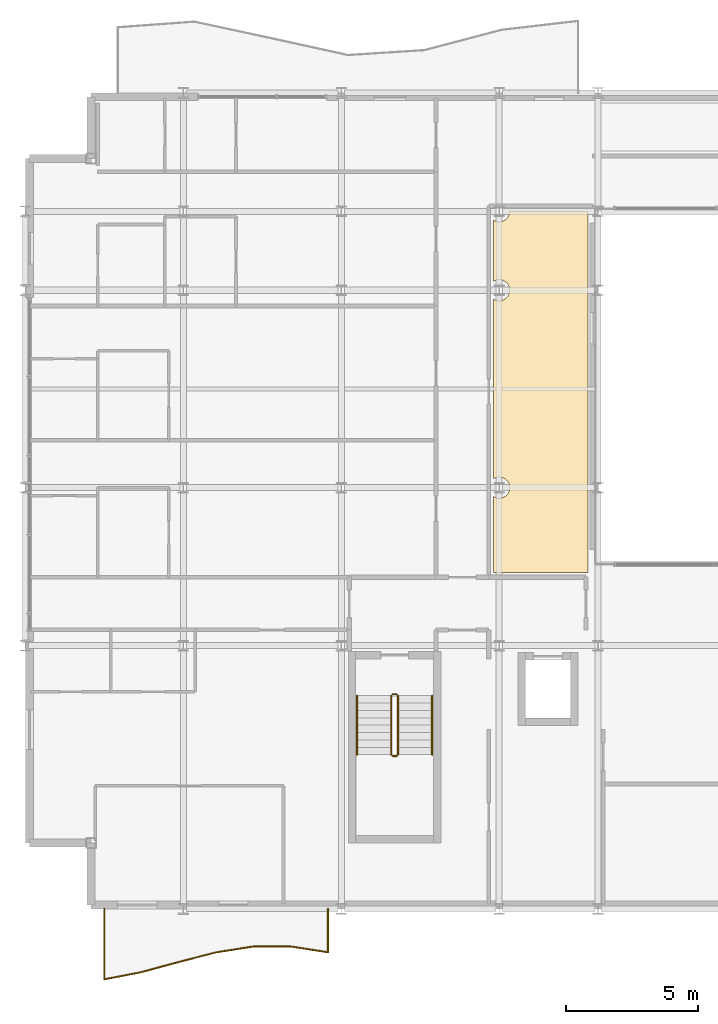
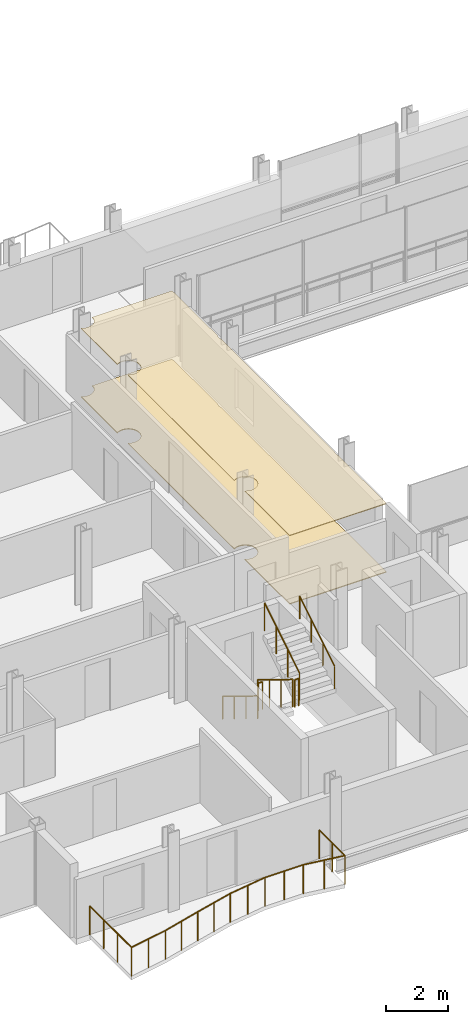
# One storey, part 39 of 41: 7 railings, 2 coverings.
"""IFC4 building model written with IfcOpenShell, lengths in metres."""

from ifc_helpers import new_model, si_unit, direction, frame, origin, origin_2d, place, context, subcontext, project, spatial, polyline, circle, outline, extrude, material, layer, layer_set, type_object, element, save


model = new_model("IFC4")

# Units and contexts
model_context = context("Model", 3, precision=1e-05, world=origin(), true_north=direction((0.0, 1.0)))
body_context = subcontext(model_context, "Body", "Model", "MODEL_VIEW")
ifc_project = project(units=[si_unit("LENGTHUNIT", "METRE"), si_unit("AREAUNIT", "SQUARE_METRE"), si_unit("VOLUMEUNIT", "CUBIC_METRE"), si_unit("PLANEANGLEUNIT", "RADIAN"), si_unit("MASSUNIT", "GRAM", prefix="KILO")], contexts=[model_context])

# Site, building, storey
site_placement = place(None, origin())
site = spatial("IfcSite", under=ifc_project, at=site_placement, CompositionType="ELEMENT")
building_placement = place(site_placement, origin())
building = spatial("IfcBuilding", under=site, at=building_placement, Name="Brevholm Reach", CompositionType="ELEMENT")
storey_placement = place(building_placement, frame((0.0, 0.0, 151.10009765625)))
storey = spatial("IfcBuildingStorey", under=building, at=storey_placement, Name="L45", CompositionType="ELEMENT", Elevation=151.10009765625)

# Coverings
ifc_material_1 = material(Name="Moisture-Resistant Skimmed Gypsum Plasterboard Ceiling", Category="gypsum")
ifc_layer_1 = layer(ifc_material_1, 0.030029296875)
ifc_layer_set_1 = layer_set([ifc_layer_1], Name="Moisture-Resistant Skimmed Gypsum Plasterboard Ceiling")
covering_type_1 = type_object("IfcCoveringType", Name="COV-CLG-GYP", PredefinedType="CEILING", material=ifc_layer_set_1)
covering_1_placement = place(storey_placement, frame((0.0, 0.0, 2.679931640625)))
element("IfcCovering", 1, at=covering_1_placement, inside=storey, type_object=covering_type_1, Name="L45 Suspended Ceiling L45-53", PredefinedType="CEILING", context=body_context, shape_type="SweptSolid", body=[
    extrude(outline(polyline([(21.3701171875, 23.623779296875), (21.3671875, 23.6162109375), (21.357666015625, 23.577880859375), (21.351806640625, 23.539306640625), (21.35009765625, 23.5), (21.351806640625, 23.460693359375), (21.357666015625, 23.422119140625), (21.3671875, 23.3837890625), (21.3701171875, 23.376220703125), (21.3701171875, 16.123779296875), (21.3671875, 16.1162109375), (21.357666015625, 16.077880859375), (21.351806640625, 16.039306640625), (21.35009765625, 16.0), (21.351806640625, 15.960693359375), (21.357666015625, 15.922119140625), (21.3671875, 15.8837890625), (21.3701171875, 15.876220703125), (21.3701171875, 12.783935546875), (17.783935546875, 12.783935546875), (17.783935546875, 15.663818359375), (17.811279296875, 15.647216796875), (17.846923828125, 15.63037109375), (17.8837890625, 15.6171875), (17.922119140625, 15.607666015625), (17.960693359375, 15.601806640625), (18.0, 15.60009765625), (18.039306640625, 15.601806640625), (18.077880859375, 15.607666015625), (18.1162109375, 15.6171875), (18.153076171875, 15.63037109375), (18.188720703125, 15.647216796875), (18.22216796875, 15.66748046875), (18.25390625, 15.69091796875), (18.28271484375, 15.71728515625), (18.30908203125, 15.74609375), (18.33251953125, 15.77783203125), (18.352783203125, 15.811279296875), (18.36962890625, 15.846923828125), (18.3828125, 15.8837890625), (18.392333984375, 15.922119140625), (18.398193359375, 15.960693359375), (18.39990234375, 16.0), (18.398193359375, 16.039306640625), (18.392333984375, 16.077880859375), (18.3828125, 16.1162109375), (18.36962890625, 16.153076171875), (18.352783203125, 16.188720703125), (18.33251953125, 16.22216796875), (18.30908203125, 16.25390625), (18.28271484375, 16.28271484375), (18.25390625, 16.30908203125), (18.22216796875, 16.33251953125), (18.188720703125, 16.352783203125), (18.153076171875, 16.36962890625), (18.1162109375, 16.3828125), (18.077880859375, 16.392333984375), (18.039306640625, 16.398193359375), (18.0, 16.39990234375), (17.960693359375, 16.398193359375), (17.922119140625, 16.392333984375), (17.8837890625, 16.3828125), (17.846923828125, 16.36962890625), (17.811279296875, 16.352783203125), (17.783935546875, 16.336181640625), (17.783935546875, 23.163818359375), (17.811279296875, 23.147216796875), (17.846923828125, 23.13037109375), (17.8837890625, 23.1171875), (17.922119140625, 23.107666015625), (17.960693359375, 23.101806640625), (18.0, 23.10009765625), (18.039306640625, 23.101806640625), (18.077880859375, 23.107666015625), (18.1162109375, 23.1171875), (18.153076171875, 23.13037109375), (18.188720703125, 23.147216796875), (18.22216796875, 23.16748046875), (18.25390625, 23.19091796875), (18.28271484375, 23.21728515625), (18.30908203125, 23.24609375), (18.33251953125, 23.27783203125), (18.352783203125, 23.311279296875), (18.36962890625, 23.346923828125), (18.3828125, 23.3837890625), (18.392333984375, 23.422119140625), (18.398193359375, 23.460693359375), (18.39990234375, 23.5), (18.398193359375, 23.539306640625), (18.392333984375, 23.577880859375), (18.3828125, 23.6162109375), (18.36962890625, 23.653076171875), (18.352783203125, 23.688720703125), (18.33251953125, 23.72216796875), (18.30908203125, 23.75390625), (18.28271484375, 23.78271484375), (18.25390625, 23.80908203125), (18.22216796875, 23.83251953125), (18.188720703125, 23.852783203125), (18.153076171875, 23.86962890625), (18.1162109375, 23.8828125), (18.077880859375, 23.892333984375), (18.039306640625, 23.898193359375), (18.0, 23.89990234375), (17.960693359375, 23.898193359375), (17.922119140625, 23.892333984375), (17.8837890625, 23.8828125), (17.846923828125, 23.86962890625), (17.811279296875, 23.852783203125), (17.783935546875, 23.836181640625), (17.783935546875, 26.163818359375), (17.811279296875, 26.147216796875), (17.846923828125, 26.13037109375), (17.8837890625, 26.1171875), (17.922119140625, 26.107666015625), (17.960693359375, 26.101806640625), (18.0, 26.10009765625), (18.039306640625, 26.101806640625), (18.077880859375, 26.107666015625), (18.1162109375, 26.1171875), (18.153076171875, 26.13037109375), (18.188720703125, 26.147216796875), (18.22216796875, 26.16748046875), (18.25390625, 26.19091796875), (18.28271484375, 26.21728515625), (18.30908203125, 26.24609375), (18.33251953125, 26.27783203125), (18.352783203125, 26.311279296875), (18.36962890625, 26.346923828125), (18.3828125, 26.3837890625), (18.392333984375, 26.422119140625), (18.398193359375, 26.460693359375), (18.39990234375, 26.5), (18.399169921875, 26.51611328125), (21.350830078125, 26.51611328125), (21.35009765625, 26.5), (21.351806640625, 26.460693359375), (21.357666015625, 26.422119140625), (21.3671875, 26.3837890625), (21.3701171875, 26.376220703125), (21.3701171875, 23.623779296875)])), origin(), (0.0, 0.0, 1.0), 0.030029296875),
])
ifc_material_2 = material(Name="Honed Portland-Aggregate Resin Terrazzo Flooring", Category="concrete")
ifc_layer_2 = layer(ifc_material_2, 0.031982421875)
ifc_layer_set_2 = layer_set([ifc_layer_2], Name="Honed Portland-Aggregate Resin Terrazzo Flooring")
covering_type_2 = type_object("IfcCoveringType", Name="COV-FLR-TRZ", PredefinedType="FLOORING", material=ifc_layer_set_2)
covering_2_placement = place(storey_placement, origin())
element("IfcCovering", 2, at=covering_2_placement, inside=storey, type_object=covering_type_2, Name="L45 Floor Finish L45-53", PredefinedType="FLOORING", context=body_context, shape_type="SweptSolid", body=[
    extrude(outline(polyline([(21.3701171875, 23.623779296875), (21.3671875, 23.6162109375), (21.357666015625, 23.577880859375), (21.351806640625, 23.539306640625), (21.35009765625, 23.5), (21.351806640625, 23.460693359375), (21.357666015625, 23.422119140625), (21.3671875, 23.3837890625), (21.3701171875, 23.376220703125), (21.3701171875, 16.123779296875), (21.3671875, 16.1162109375), (21.357666015625, 16.077880859375), (21.351806640625, 16.039306640625), (21.35009765625, 16.0), (21.351806640625, 15.960693359375), (21.357666015625, 15.922119140625), (21.3671875, 15.8837890625), (21.3701171875, 15.876220703125), (21.3701171875, 12.783935546875), (17.783935546875, 12.783935546875), (17.783935546875, 15.663818359375), (17.811279296875, 15.647216796875), (17.846923828125, 15.63037109375), (17.8837890625, 15.6171875), (17.922119140625, 15.607666015625), (17.960693359375, 15.601806640625), (18.0, 15.60009765625), (18.039306640625, 15.601806640625), (18.077880859375, 15.607666015625), (18.1162109375, 15.6171875), (18.153076171875, 15.63037109375), (18.188720703125, 15.647216796875), (18.22216796875, 15.66748046875), (18.25390625, 15.69091796875), (18.28271484375, 15.71728515625), (18.30908203125, 15.74609375), (18.33251953125, 15.77783203125), (18.352783203125, 15.811279296875), (18.36962890625, 15.846923828125), (18.3828125, 15.8837890625), (18.392333984375, 15.922119140625), (18.398193359375, 15.960693359375), (18.39990234375, 16.0), (18.398193359375, 16.039306640625), (18.392333984375, 16.077880859375), (18.3828125, 16.1162109375), (18.36962890625, 16.153076171875), (18.352783203125, 16.188720703125), (18.33251953125, 16.22216796875), (18.30908203125, 16.25390625), (18.28271484375, 16.28271484375), (18.25390625, 16.30908203125), (18.22216796875, 16.33251953125), (18.188720703125, 16.352783203125), (18.153076171875, 16.36962890625), (18.1162109375, 16.3828125), (18.077880859375, 16.392333984375), (18.039306640625, 16.398193359375), (18.0, 16.39990234375), (17.960693359375, 16.398193359375), (17.922119140625, 16.392333984375), (17.8837890625, 16.3828125), (17.846923828125, 16.36962890625), (17.811279296875, 16.352783203125), (17.783935546875, 16.336181640625), (17.783935546875, 23.163818359375), (17.811279296875, 23.147216796875), (17.846923828125, 23.13037109375), (17.8837890625, 23.1171875), (17.922119140625, 23.107666015625), (17.960693359375, 23.101806640625), (18.0, 23.10009765625), (18.039306640625, 23.101806640625), (18.077880859375, 23.107666015625), (18.1162109375, 23.1171875), (18.153076171875, 23.13037109375), (18.188720703125, 23.147216796875), (18.22216796875, 23.16748046875), (18.25390625, 23.19091796875), (18.28271484375, 23.21728515625), (18.30908203125, 23.24609375), (18.33251953125, 23.27783203125), (18.352783203125, 23.311279296875), (18.36962890625, 23.346923828125), (18.3828125, 23.3837890625), (18.392333984375, 23.422119140625), (18.398193359375, 23.460693359375), (18.39990234375, 23.5), (18.398193359375, 23.539306640625), (18.392333984375, 23.577880859375), (18.3828125, 23.6162109375), (18.36962890625, 23.653076171875), (18.352783203125, 23.688720703125), (18.33251953125, 23.72216796875), (18.30908203125, 23.75390625), (18.28271484375, 23.78271484375), (18.25390625, 23.80908203125), (18.22216796875, 23.83251953125), (18.188720703125, 23.852783203125), (18.153076171875, 23.86962890625), (18.1162109375, 23.8828125), (18.077880859375, 23.892333984375), (18.039306640625, 23.898193359375), (18.0, 23.89990234375), (17.960693359375, 23.898193359375), (17.922119140625, 23.892333984375), (17.8837890625, 23.8828125), (17.846923828125, 23.86962890625), (17.811279296875, 23.852783203125), (17.783935546875, 23.836181640625), (17.783935546875, 26.163818359375), (17.811279296875, 26.147216796875), (17.846923828125, 26.13037109375), (17.8837890625, 26.1171875), (17.922119140625, 26.107666015625), (17.960693359375, 26.101806640625), (18.0, 26.10009765625), (18.039306640625, 26.101806640625), (18.077880859375, 26.107666015625), (18.1162109375, 26.1171875), (18.153076171875, 26.13037109375), (18.188720703125, 26.147216796875), (18.22216796875, 26.16748046875), (18.25390625, 26.19091796875), (18.28271484375, 26.21728515625), (18.30908203125, 26.24609375), (18.33251953125, 26.27783203125), (18.352783203125, 26.311279296875), (18.36962890625, 26.346923828125), (18.3828125, 26.3837890625), (18.392333984375, 26.422119140625), (18.398193359375, 26.460693359375), (18.39990234375, 26.5), (18.399169921875, 26.51611328125), (21.350830078125, 26.51611328125), (21.35009765625, 26.5), (21.351806640625, 26.460693359375), (21.357666015625, 26.422119140625), (21.3671875, 26.3837890625), (21.3701171875, 26.376220703125), (21.3701171875, 23.623779296875)])), origin(), (0.0, 0.0, 1.0), 0.031982421875),
])

# Railings
ifc_material_3 = material(Name="Brushed Stainless Steel EN 1.4401 and Laminated Glass", Category="steel")
railing_type_1 = type_object("IfcRailingType", Name="RAL-BALC-1150", PredefinedType="BALUSTRADE", material=ifc_material_3)
railing_1_placement = place(storey_placement, frame((3.0, 0.0, 0.0)))
element("IfcRailing", 3, at=railing_1_placement, inside=storey, type_object=railing_type_1, Name="L45 Guard Balustrade RAL-L45-BAL-SW", PredefinedType="BALUSTRADE", context=body_context, shape_type="SweptSolid", body=[
    extrude(circle(Radius=0.02392578125, at=origin_2d()), frame((0.0, 0.0, 1.1259765625), z_axis=(0.0, -1.0, 0.0), x_axis=(1.0, 0.0, 0.0)), (0.0, 0.0, 1.0), 2.676513671875),
    extrude(circle(Radius=0.02392578125, at=origin_2d()), frame((0.0, -2.676513671875, 1.1259765625), z_axis=(0.98175336952, 0.190158674365, 0.0), x_axis=(-0.190158674365, 0.98175336952, 0.0)), (0.0, 0.0, 1.0), 1.443115234375),
    extrude(circle(Radius=0.02392578125, at=origin_2d()), frame((1.416748046875, -2.402099609375, 1.1259765625), z_axis=(0.964821360478, 0.262906337628, 0.0), x_axis=(-0.262906337628, 0.964821360478, 0.0)), (0.0, 0.0, 1.0), 1.46826171875),
    extrude(circle(Radius=0.02392578125, at=origin_2d()), frame((2.833251953125, -2.01611328125, 1.1259765625), z_axis=(0.968218696825, 0.250105088151, 0.0), x_axis=(-0.250105088151, 0.968218696825, 0.0)), (0.0, 0.0, 1.0), 1.463134765625),
    extrude(circle(Radius=0.02392578125, at=origin_2d()), frame((4.25, -1.650146484375, 1.1259765625), z_axis=(0.988082538492, 0.153924972393, 0.0), x_axis=(-0.153924972393, 0.988082538492, 0.0)), (0.0, 0.0, 1.0), 1.433837890625),
    extrude(circle(Radius=0.02392578125, at=origin_2d()), frame((5.666748046875, -1.429443359375, 1.1259765625), z_axis=(1.0, 0.0, 0.0), x_axis=(0.0, 1.0, 0.0)), (0.0, 0.0, 1.0), 1.41650390625),
    extrude(circle(Radius=0.02392578125, at=origin_2d()), frame((7.083251953125, -1.429443359375, 1.1259765625), z_axis=(0.988082538492, -0.153924972393, 0.0), x_axis=(0.153924972393, 0.988082538492, 0.0)), (0.0, 0.0, 1.0), 1.433837890625),
    extrude(circle(Radius=0.02392578125, at=origin_2d()), frame((8.5, -1.650146484375, 1.1259765625), z_axis=(0.0, 1.0, 0.0), x_axis=(-1.0, 0.0, 0.0)), (0.0, 0.0, 1.0), 1.650146484375),
    extrude(circle(Radius=0.02099609375, at=origin_2d()), origin(), (0.0, 0.0, 1.0), 1.101806640625),
    extrude(circle(Radius=0.02099609375, at=origin_2d()), frame((0.0, -0.89208984375, 0.0)), (0.0, 0.0, 1.0), 1.101806640625),
    extrude(circle(Radius=0.02099609375, at=origin_2d()), frame((0.0, -1.784423828125, 0.0)), (0.0, 0.0, 1.0), 1.101806640625),
    extrude(circle(Radius=0.02099609375, at=origin_2d()), frame((0.0, -2.676513671875, 0.0)), (0.0, 0.0, 1.0), 1.101806640625),
    extrude(circle(Radius=0.02099609375, at=origin_2d()), frame((0.70849609375, -2.539306640625, 0.0)), (0.0, 0.0, 1.0), 1.101806640625),
    extrude(circle(Radius=0.02099609375, at=origin_2d()), frame((1.416748046875, -2.402099609375, 0.0)), (0.0, 0.0, 1.0), 1.101806640625),
    extrude(circle(Radius=0.02099609375, at=origin_2d()), frame((2.125, -2.208984375, 0.0)), (0.0, 0.0, 1.0), 1.101806640625),
    extrude(circle(Radius=0.02099609375, at=origin_2d()), frame((2.833251953125, -2.01611328125, 0.0)), (0.0, 0.0, 1.0), 1.101806640625),
    extrude(circle(Radius=0.02099609375, at=origin_2d()), frame((3.54150390625, -1.8330078125, 0.0)), (0.0, 0.0, 1.0), 1.101806640625),
    extrude(circle(Radius=0.02099609375, at=origin_2d()), frame((4.25, -1.650146484375, 0.0)), (0.0, 0.0, 1.0), 1.101806640625),
    extrude(circle(Radius=0.02099609375, at=origin_2d()), frame((4.95849609375, -1.539794921875, 0.0)), (0.0, 0.0, 1.0), 1.101806640625),
    extrude(circle(Radius=0.02099609375, at=origin_2d()), frame((5.666748046875, -1.429443359375, 0.0)), (0.0, 0.0, 1.0), 1.101806640625),
    extrude(circle(Radius=0.02099609375, at=origin_2d()), frame((6.375, -1.429443359375, 0.0)), (0.0, 0.0, 1.0), 1.101806640625),
    extrude(circle(Radius=0.02099609375, at=origin_2d()), frame((7.083251953125, -1.429443359375, 0.0)), (0.0, 0.0, 1.0), 1.101806640625),
    extrude(circle(Radius=0.02099609375, at=origin_2d()), frame((7.79150390625, -1.539794921875, 0.0)), (0.0, 0.0, 1.0), 1.101806640625),
    extrude(circle(Radius=0.02099609375, at=origin_2d()), frame((8.5, -1.650146484375, 0.0)), (0.0, 0.0, 1.0), 1.101806640625),
    extrude(circle(Radius=0.02099609375, at=origin_2d()), frame((8.5, -0.8251953125, 0.0)), (0.0, 0.0, 1.0), 1.101806640625),
    extrude(circle(Radius=0.02099609375, at=origin_2d()), frame((8.5, 0.0, 0.0)), (0.0, 0.0, 1.0), 1.101806640625),
])
ifc_material_4 = material(Name="Brushed Stainless Steel EN 1.4401 Continuous Handrail", Category="steel")
railing_type_2 = type_object("IfcRailingType", Name="RAL-HND-950", PredefinedType="HANDRAIL", material=ifc_material_4)
railing_2_placement = place(storey_placement, frame((12.60009765625, 8.10009765625, 0.172119140625)))
element("IfcRailing", 4, at=railing_2_placement, inside=storey, type_object=railing_type_2, Name="L45 ST-1 stair handrail 1", PredefinedType="HANDRAIL", context=body_context, shape_type="SweptSolid", body=[
    extrude(circle(Radius=0.02392578125, at=origin_2d()), frame((0.0, 0.0, 0.8857421875), z_axis=(0.0, -0.85178898068, 0.523885037382), x_axis=(1.0, 0.0, 0.0)), (0.0, 0.0, 1.0), 2.629638671875),
    extrude(circle(Radius=0.02099609375, at=origin_2d()), origin(), (0.0, 0.0, 1.0), 0.86181640625),
    extrude(circle(Radius=0.02099609375, at=origin_2d()), frame((0.0, -0.74658203125, 0.459228515625)), (0.0, 0.0, 1.0), 0.86181640625),
    extrude(circle(Radius=0.02099609375, at=origin_2d()), frame((0.0, -1.493408203125, 0.91845703125)), (0.0, 0.0, 1.0), 0.86181640625),
    extrude(circle(Radius=0.02099609375, at=origin_2d()), frame((0.0, -2.239990234375, 1.377685546875)), (0.0, 0.0, 1.0), 0.86181640625),
])
railing_3_placement = place(storey_placement, frame((15.449951171875, 5.860107421875, 1.72216796875)))
element("IfcRailing", 5, at=railing_3_placement, inside=storey, type_object=railing_type_2, Name="L45 ST-1 stair handrail 2", PredefinedType="HANDRAIL", context=body_context, shape_type="SweptSolid", body=[
    extrude(circle(Radius=0.02392578125, at=origin_2d()), frame((0.0, 0.0, 0.8857421875), z_axis=(0.0, 0.85178898068, 0.523885037382), x_axis=(-1.0, 0.0, 0.0)), (0.0, 0.0, 1.0), 2.629638671875),
    extrude(circle(Radius=0.02099609375, at=origin_2d()), origin(), (0.0, 0.0, 1.0), 0.86181640625),
    extrude(circle(Radius=0.02099609375, at=origin_2d()), frame((0.0, 0.74658203125, 0.459228515625)), (0.0, 0.0, 1.0), 0.86181640625),
    extrude(circle(Radius=0.02099609375, at=origin_2d()), frame((0.0, 1.493408203125, 0.91845703125)), (0.0, 0.0, 1.0), 0.86181640625),
    extrude(circle(Radius=0.02099609375, at=origin_2d()), frame((0.0, 2.239990234375, 1.377685546875)), (0.0, 0.0, 1.0), 0.86181640625),
])
ifc_material_5 = material(Name="Painted Tubular Galvanised Steel S275JR Stair Guard", Category="steel")
railing_type_3 = type_object("IfcRailingType", Name="RAL-STG-1120", PredefinedType="BALUSTRADE", material=ifc_material_5)
railing_4_placement = place(storey_placement, frame((13.89990234375, 8.10009765625, 0.172119140625)))
element("IfcRailing", 6, at=railing_4_placement, inside=storey, type_object=railing_type_3, Name="L45 ST-1 stair guard 1", PredefinedType="BALUSTRADE", context=body_context, shape_type="SweptSolid", body=[
    extrude(circle(Radius=0.02392578125, at=origin_2d()), frame((0.0, 0.0, 1.076171875), z_axis=(0.0, -0.85178898068, 0.523885037382), x_axis=(1.0, 0.0, 0.0)), (0.0, 0.0, 1.0), 2.629638671875),
    extrude(circle(Radius=0.02099609375, at=origin_2d()), origin(), (0.0, 0.0, 1.0), 1.052001953125),
    extrude(circle(Radius=0.02099609375, at=origin_2d()), frame((0.0, -0.74658203125, 0.459228515625)), (0.0, 0.0, 1.0), 1.052001953125),
    extrude(circle(Radius=0.02099609375, at=origin_2d()), frame((0.0, -1.493408203125, 0.91845703125)), (0.0, 0.0, 1.0), 1.052001953125),
    extrude(circle(Radius=0.02099609375, at=origin_2d()), frame((0.0, -2.239990234375, 1.377685546875)), (0.0, 0.0, 1.0), 1.052001953125),
])
railing_5_placement = place(storey_placement, frame((13.949951171875, 5.81005859375, 1.5498046875)))
element("IfcRailing", 7, at=railing_5_placement, inside=storey, type_object=railing_type_3, Name="L45 ST-1 stair guard 2", PredefinedType="BALUSTRADE", context=body_context, shape_type="SweptSolid", body=[
    extrude(circle(Radius=0.02392578125, at=origin_2d()), frame((0.0, 0.0, 1.076171875), z_axis=(1.0, 0.0, 0.0), x_axis=(0.0, 1.0, 0.0)), (0.0, 0.0, 1.0), 0.150146484375),
    extrude(circle(Radius=0.02099609375, at=origin_2d()), origin(), (0.0, 0.0, 1.0), 1.052001953125),
    extrude(circle(Radius=0.02099609375, at=origin_2d()), frame((0.150146484375, 0.0, 0.0)), (0.0, 0.0, 1.0), 1.052001953125),
])
railing_6_placement = place(storey_placement, frame((14.14990234375, 5.860107421875, 1.72216796875)))
element("IfcRailing", 8, at=railing_6_placement, inside=storey, type_object=railing_type_3, Name="L45 ST-1 stair guard 3", PredefinedType="BALUSTRADE", context=body_context, shape_type="SweptSolid", body=[
    extrude(circle(Radius=0.02392578125, at=origin_2d()), frame((0.0, 0.0, 1.076171875), z_axis=(0.0, 0.85178898068, 0.523885037382), x_axis=(-1.0, 0.0, 0.0)), (0.0, 0.0, 1.0), 2.629638671875),
    extrude(circle(Radius=0.02099609375, at=origin_2d()), origin(), (0.0, 0.0, 1.0), 1.052001953125),
    extrude(circle(Radius=0.02099609375, at=origin_2d()), frame((0.0, 0.74658203125, 0.459228515625)), (0.0, 0.0, 1.0), 1.052001953125),
    extrude(circle(Radius=0.02099609375, at=origin_2d()), frame((0.0, 1.493408203125, 0.91845703125)), (0.0, 0.0, 1.0), 1.052001953125),
    extrude(circle(Radius=0.02099609375, at=origin_2d()), frame((0.0, 2.239990234375, 1.377685546875)), (0.0, 0.0, 1.0), 1.052001953125),
])
railing_7_placement = place(storey_placement, frame((13.949951171875, 8.14990234375, 0.0)))
element("IfcRailing", 9, at=railing_7_placement, inside=storey, type_object=railing_type_3, Name="L45 ST-1 stair guard 4", PredefinedType="BALUSTRADE", context=body_context, shape_type="SweptSolid", body=[
    extrude(circle(Radius=0.02392578125, at=origin_2d()), frame((0.0, 0.0, 1.076171875), z_axis=(1.0, 0.0, 0.0), x_axis=(0.0, 1.0, 0.0)), (0.0, 0.0, 1.0), 0.150146484375),
    extrude(circle(Radius=0.02099609375, at=origin_2d()), origin(), (0.0, 0.0, 1.0), 1.052001953125),
    extrude(circle(Radius=0.02099609375, at=origin_2d()), frame((0.150146484375, 0.0, 0.0)), (0.0, 0.0, 1.0), 1.052001953125),
])

save(model, "model.ifc")
